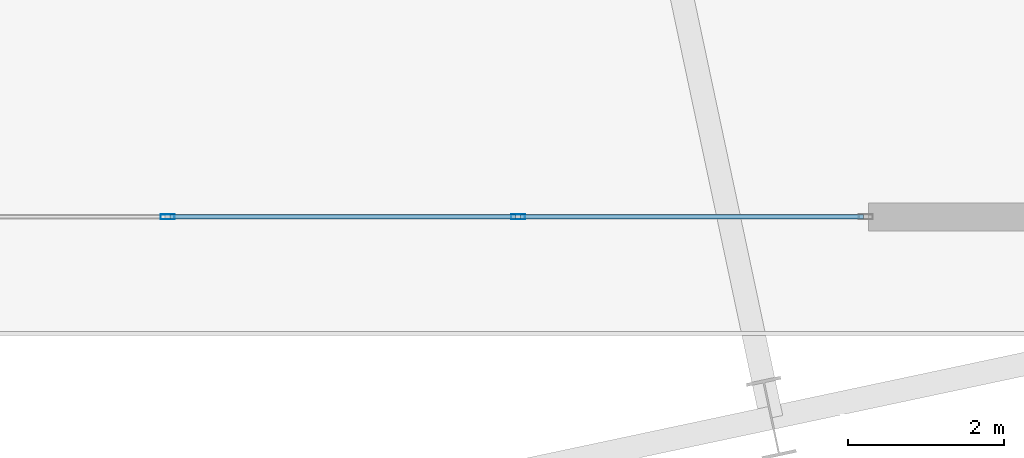
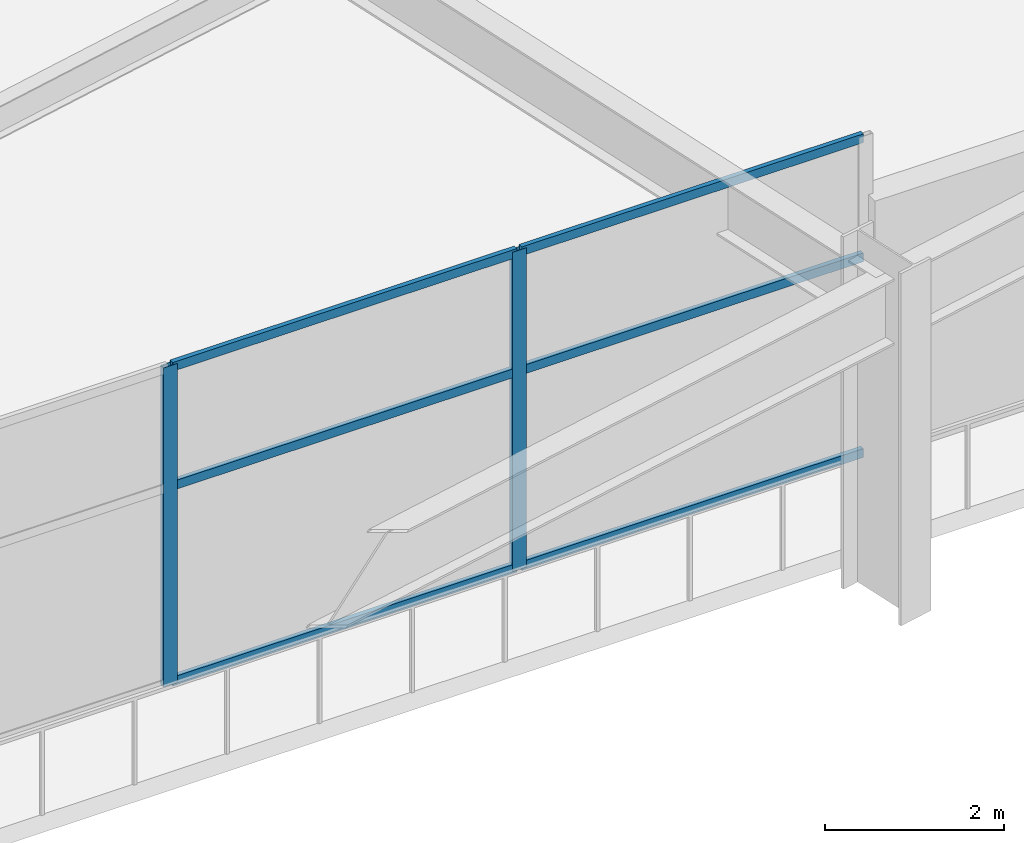
# One storey, part 12 of 35: 8 members, 1 element without a shape of its own.
"""IFC4 building model written with IfcOpenShell, lengths in metres."""

from ifc_helpers import new_model, si_unit, direction, frame, origin, origin_2d, place, context, subcontext, project, spatial, hollow_rectangle, extrude, material, layer, layer_set, material_profile, profile_set, type_object, element, aggregate, save


model = new_model("IFC4")

# Units and contexts
model_context = context("Model", 3, precision=1e-05, world=origin(), true_north=direction((0.0, 1.0)))
body_context = subcontext(model_context, "Body", "Model", "MODEL_VIEW")
ifc_project = project(units=[si_unit("LENGTHUNIT", "METRE"), si_unit("AREAUNIT", "SQUARE_METRE"), si_unit("VOLUMEUNIT", "CUBIC_METRE"), si_unit("PLANEANGLEUNIT", "RADIAN"), si_unit("MASSUNIT", "GRAM", prefix="KILO")], contexts=[model_context])

# Site, building, storey
site_placement = place(None, origin())
site = spatial("IfcSite", under=ifc_project, at=site_placement, CompositionType="ELEMENT")
building_placement = place(site_placement, origin())
building = spatial("IfcBuilding", under=site, at=building_placement, Name="Haevon Station Towers", CompositionType="ELEMENT")
storey_placement = place(building_placement, frame((0.0, 0.0, 20.39990234375)))
storey = spatial("IfcBuildingStorey", under=building, at=storey_placement, Name="L04", CompositionType="ELEMENT", Elevation=20.39990234375)

# Curtain wall, members
ifc_material_1 = material(Name="Anodised aluminium and Low-E double glazing", Category="aluminium")
ifc_layer = layer(ifc_material_1, 0.179931640625)
ifc_layer_set = layer_set([ifc_layer], Name="Anodised aluminium and Low-E double glazing")
curtain_wall_type = type_object("IfcCurtainWallType", Name="CW-SYS2", PredefinedType="NOTDEFINED", material=ifc_layer_set)
curtain_wall_placement = place(storey_placement, origin())
curtain_wall = element("IfcCurtainWall", 1, at=curtain_wall_placement, inside=storey, type_object=curtain_wall_type, Name="L04 Curtain Wall CW-POD-L04-S1", PredefinedType="NOTDEFINED")
ifc_material_2 = material(Name="Anodised aluminium 6063-T6", Category="aluminium")
ifc_material_profile_1 = material_profile(ifc_material_2, hollow_rectangle(XDim=0.06494140625, YDim=0.179931640625, WallThickness=0.00390625, at=origin_2d()), Name="CWM-180x65x4")
ifc_profile_set_1 = profile_set([ifc_material_profile_1], Name="Anodised aluminium 6063-T6")
member_type_1 = type_object("IfcMemberType", Name="CWM-180", PredefinedType="MULLION", material=ifc_profile_set_1)
member_1_placement = place(storey_placement, frame((100.5, 16.5, 0.0), z_axis=(0.0, 0.0, 1.0), x_axis=(0.0, -1.0, 0.0)))
member_1 = element("IfcMember", 2, at=member_1_placement, type_object=member_type_1, Name="CW-SYS2 mullion 2", PredefinedType="MULLION", context=body_context, shape_type="SweptSolid", body=[
    extrude(hollow_rectangle(XDim=0.06494140625, YDim=0.179931640625, WallThickness=0.00390625, at=origin_2d()), origin(), (0.0, 0.0, 1.0), 4.35009765625),
])
member_2_placement = place(storey_placement, frame((96.0, 16.5, 0.0), z_axis=(0.0, 0.0, 1.0), x_axis=(0.0, -1.0, 0.0)))
member_2 = element("IfcMember", 3, at=member_2_placement, type_object=member_type_1, Name="CW-SYS2 mullion 3", PredefinedType="MULLION", context=body_context, shape_type="SweptSolid", body=[
    extrude(hollow_rectangle(XDim=0.06494140625, YDim=0.179931640625, WallThickness=0.00390625, at=origin_2d()), origin(), (0.0, 0.0, 1.0), 4.35009765625),
])
ifc_material_profile_2 = material_profile(ifc_material_2, hollow_rectangle(XDim=0.06005859375, YDim=0.1201171875, WallThickness=0.0029296875, at=origin_2d()), Name="CWT-120x60x3")
ifc_profile_set_2 = profile_set([ifc_material_profile_2], Name="Anodised aluminium 6063-T6")
member_type_2 = type_object("IfcMemberType", Name="CWT-120", PredefinedType="USERDEFINED", material=ifc_profile_set_2)
member_3_placement = place(storey_placement, frame((104.93505859375, 16.5, 0.030029296875), z_axis=(-1.0, 0.0, 0.0), x_axis=(0.0, -1.0, 0.0)))
member_3 = element("IfcMember", 4, at=member_3_placement, type_object=member_type_2, Name="CW-SYS2 transom 1.1", ObjectType="TRANSOM", PredefinedType="USERDEFINED", context=body_context, shape_type="SweptSolid", body=[
    extrude(hollow_rectangle(XDim=0.06005859375, YDim=0.1201171875, WallThickness=0.0029296875, at=origin_2d()), origin(), (0.0, 0.0, 1.0), 4.402587890625),
])
member_4_placement = place(storey_placement, frame((104.93505859375, 16.5, 2.697021484375), z_axis=(-1.0, 0.0, 0.0), x_axis=(0.0, -1.0, 0.0)))
member_4 = element("IfcMember", 5, at=member_4_placement, type_object=member_type_2, Name="CW-SYS2 transom 1.2", ObjectType="TRANSOM", PredefinedType="USERDEFINED", context=body_context, shape_type="SweptSolid", body=[
    extrude(hollow_rectangle(XDim=0.06005859375, YDim=0.1201171875, WallThickness=0.0029296875, at=origin_2d()), origin(), (0.0, 0.0, 1.0), 4.402587890625),
])
member_5_placement = place(storey_placement, frame((104.93505859375, 16.5, 4.320068359375), z_axis=(-1.0, 0.0, 0.0), x_axis=(0.0, -1.0, 0.0)))
member_5 = element("IfcMember", 6, at=member_5_placement, type_object=member_type_2, Name="CW-SYS2 transom 1.3", ObjectType="TRANSOM", PredefinedType="USERDEFINED", context=body_context, shape_type="SweptSolid", body=[
    extrude(hollow_rectangle(XDim=0.06005859375, YDim=0.1201171875, WallThickness=0.0029296875, at=origin_2d()), origin(), (0.0, 0.0, 1.0), 4.402587890625),
])
member_6_placement = place(storey_placement, frame((100.467529296875, 16.5, 0.030029296875), z_axis=(-1.0, 0.0, 0.0), x_axis=(0.0, -1.0, 0.0)))
member_6 = element("IfcMember", 7, at=member_6_placement, type_object=member_type_2, Name="CW-SYS2 transom 2.1", ObjectType="TRANSOM", PredefinedType="USERDEFINED", context=body_context, shape_type="SweptSolid", body=[
    extrude(hollow_rectangle(XDim=0.06005859375, YDim=0.1201171875, WallThickness=0.0029296875, at=origin_2d()), origin(), (0.0, 0.0, 1.0), 4.43505859375),
])
member_7_placement = place(storey_placement, frame((100.467529296875, 16.5, 2.697021484375), z_axis=(-1.0, 0.0, 0.0), x_axis=(0.0, -1.0, 0.0)))
member_7 = element("IfcMember", 8, at=member_7_placement, type_object=member_type_2, Name="CW-SYS2 transom 2.2", ObjectType="TRANSOM", PredefinedType="USERDEFINED", context=body_context, shape_type="SweptSolid", body=[
    extrude(hollow_rectangle(XDim=0.06005859375, YDim=0.1201171875, WallThickness=0.0029296875, at=origin_2d()), origin(), (0.0, 0.0, 1.0), 4.43505859375),
])
member_8_placement = place(storey_placement, frame((100.467529296875, 16.5, 4.320068359375), z_axis=(-1.0, 0.0, 0.0), x_axis=(0.0, -1.0, 0.0)))
member_8 = element("IfcMember", 9, at=member_8_placement, type_object=member_type_2, Name="CW-SYS2 transom 2.3", ObjectType="TRANSOM", PredefinedType="USERDEFINED", context=body_context, shape_type="SweptSolid", body=[
    extrude(hollow_rectangle(XDim=0.06005859375, YDim=0.1201171875, WallThickness=0.0029296875, at=origin_2d()), origin(), (0.0, 0.0, 1.0), 4.43505859375),
])
aggregate(curtain_wall, [member_1, member_2, member_3, member_4, member_5, member_6, member_7, member_8])

save(model, "model.ifc")
